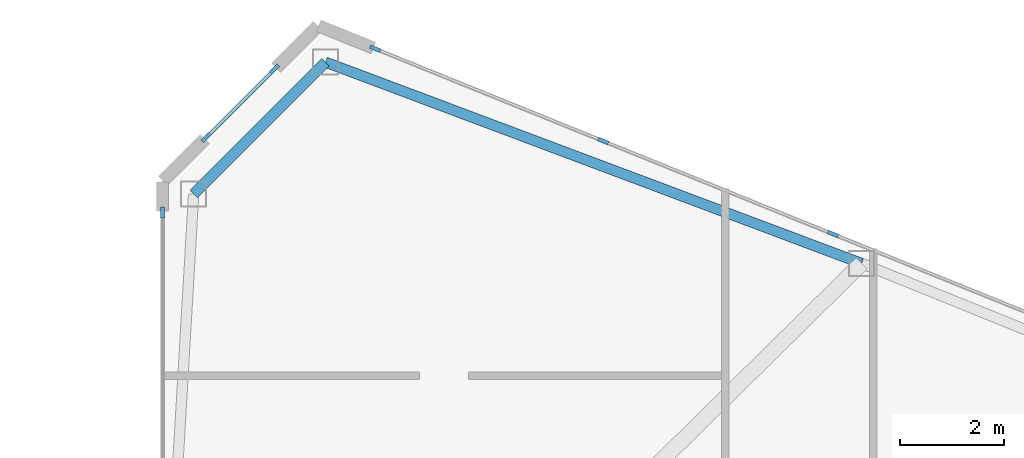
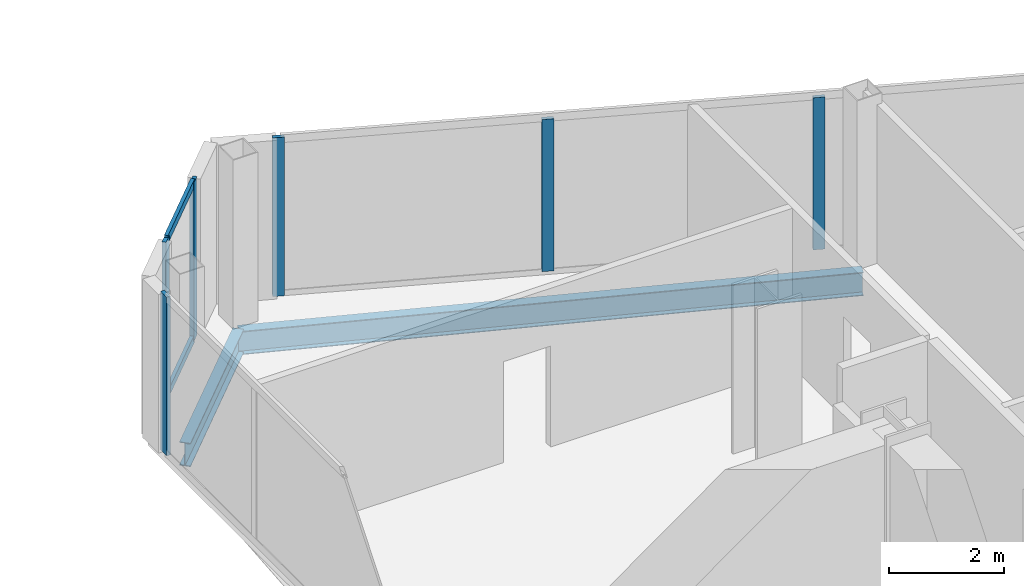
# One storey, part 13 of 25: 8 members, 2 beams, 3 elements without a shape of their own.
"""IFC4 building model written with IfcOpenShell, lengths in metres."""

from ifc_helpers import new_model, si_unit, direction, frame, origin, origin_2d, place, context, subcontext, project, spatial, rectangle, i_section, extrude, source, transform, mapped, material, layer, layer_set, material_profile, profile_set, type_object, type_shapes, element, aggregate, save


model = new_model("IFC4")

# Units and contexts
model_context = context("Model", 3, precision=1e-05, world=origin(), true_north=direction((0.0, 1.0)))
body_context = subcontext(model_context, "Body", "Model", "MODEL_VIEW")
ifc_project = project(units=[si_unit("LENGTHUNIT", "METRE"), si_unit("AREAUNIT", "SQUARE_METRE"), si_unit("VOLUMEUNIT", "CUBIC_METRE"), si_unit("PLANEANGLEUNIT", "RADIAN"), si_unit("MASSUNIT", "GRAM", prefix="KILO")], contexts=[model_context])

# Site, building, storey
site_placement = place(None, origin())
site = spatial("IfcSite", under=ifc_project, at=site_placement, CompositionType="ELEMENT")
building_placement = place(site_placement, origin())
building = spatial("IfcBuilding", under=site, at=building_placement, Name="Seokmaru Belvedere", CompositionType="ELEMENT")
storey_placement = place(building_placement, frame((0.0, 0.0, 33.300048828125)))
storey = spatial("IfcBuildingStorey", under=building, at=storey_placement, Name="L08", CompositionType="ELEMENT", Elevation=33.300048828125)

# Beams
ifc_material_1 = material(Name="Steel SM355 (355 MPa)", Category="steel")
ifc_material_profile_1 = material_profile(ifc_material_1, i_section(OverallWidth=0.199951171875, OverallDepth=0.5, WebThickness=0.010009765625, FlangeThickness=0.01611328125, at=origin_2d()), Name="H-500x200x10x16")
ifc_profile_set_1 = profile_set([ifc_material_profile_1], Name="Steel SM355 (355 MPa)")
beam_type = type_object("IfcBeamType", Name="Perimeter Spandrel Beam H-500", PredefinedType="SPANDREL", material=ifc_profile_set_1)
shared_shape_1 = source(origin(), body_context, "Body", "SweptSolid", [
    extrude(i_section(OverallWidth=0.199951171875, OverallDepth=0.5, WebThickness=0.010009765625, FlangeThickness=0.01611328125, at=origin_2d()), origin(), (0.0, 0.0, 1.0), 11.03857421875),
])
beam_1_placement = place(storey_placement, frame((30.643310546875, 26.294677734375, -0.469970703125), z_axis=(0.936169110734, -0.351549990907, 0.0), x_axis=(0.351549990907, 0.936169110734, 0.0)))
element("IfcBeam", 1, at=beam_1_placement, inside=storey, type_object=beam_type, Name="L08 E Faceted Flank Spandrel N-1", PredefinedType="SPANDREL", context=body_context, shape_type="MappedRepresentation", body=[
    mapped(shared_shape_1, transform((0.0, 0.0, 0.0), scale=1.0)),
])
shared_shape_2 = source(origin(), body_context, "Body", "SweptSolid", [
    extrude(i_section(OverallWidth=0.199951171875, OverallDepth=0.5, WebThickness=0.010009765625, FlangeThickness=0.01611328125, at=origin_2d()), origin(), (0.0, 0.0, 1.0), 3.5966796875),
])
type_shapes(beam_type, [shared_shape_1, shared_shape_2])
beam_2_placement = place(storey_placement, frame((30.643310546875, 26.294677734375, -0.469970703125), z_axis=(-0.707106781187, -0.707106781187, 0.0), x_axis=(0.707106781187, -0.707106781187, 0.0)))
element("IfcBeam", 2, at=beam_2_placement, inside=storey, type_object=beam_type, Name="L08 E Shoulder Chamfer Spandrel N", PredefinedType="SPANDREL", context=body_context, shape_type="MappedRepresentation", body=[
    mapped(shared_shape_2, transform((0.0, 0.0, 0.0), scale=1.0)),
])

# Curtain wall, members
ifc_material_2 = material(Name="Bronze Triple Insulating Glass", Category="glass")
ifc_layer = layer(ifc_material_2, 0.2099609375)
ifc_layer_set = layer_set([ifc_layer], Name="Bronze Triple Insulating Glass")
curtain_wall_type = type_object("IfcCurtainWallType", Name="Low-Rise Faceted Crystal Curtain Wall System CW-2", PredefinedType="NOTDEFINED", material=ifc_layer_set)
curtain_wall_1_placement = place(storey_placement, origin())
curtain_wall_1 = element("IfcCurtainWall", 3, at=curtain_wall_1_placement, inside=storey, type_object=curtain_wall_type, Name="L08 Curtain Wall EF4", PredefinedType="NOTDEFINED")
ifc_material_3 = material(Name="Anodised Bronze Aluminium", Category="aluminium")
ifc_material_profile_2 = material_profile(ifc_material_3, rectangle(XDim=0.070068359375, YDim=0.1650390625, at=origin_2d()), Name="CW-T-70x165")
ifc_profile_set_2 = profile_set([ifc_material_profile_2], Name="Anodised Bronze Aluminium")
member_type_1 = type_object("IfcMemberType", Name="Bronze Unitised Transom 70x165", PredefinedType="USERDEFINED", material=ifc_profile_set_2)
shared_shape_3 = source(origin(), body_context, "Body", "SweptSolid", [
    extrude(rectangle(XDim=0.070068359375, YDim=0.1650390625, at=origin_2d()), origin(), (0.0, 0.0, 1.0), 1.792724609375),
])
type_shapes(member_type_1, [shared_shape_3])
member_1_placement = place(storey_placement, frame((29.6337890625, 26.1337890625, 0.034912109375), z_axis=(-0.707106781187, -0.707106781187, 0.0), x_axis=(0.707106781187, -0.707106781187, 0.0)))
member_1 = element("IfcMember", 4, at=member_1_placement, type_object=member_type_1, Name="CW:L08:EF4 Continuous Transom 1", ObjectType="TRANSOM", PredefinedType="USERDEFINED", context=body_context, shape_type="MappedRepresentation", body=[
    mapped(shared_shape_3, transform((0.0, 0.0, 0.0), scale=1.0)),
])
member_2_placement = place(storey_placement, frame((29.6337890625, 26.1337890625, 3.344970703125), z_axis=(-0.707106781187, -0.707106781187, 0.0), x_axis=(0.707106781187, -0.707106781187, 0.0)))
member_2 = element("IfcMember", 5, at=member_2_placement, type_object=member_type_1, Name="CW:L08:EF4 Continuous Transom 2", ObjectType="TRANSOM", PredefinedType="USERDEFINED", context=body_context, shape_type="MappedRepresentation", body=[
    mapped(shared_shape_3, transform((0.0, 0.0, 0.0), scale=1.0)),
])

curtain_wall_2_placement = place(storey_placement, origin())
curtain_wall_2 = element("IfcCurtainWall", 6, at=curtain_wall_2_placement, inside=storey, type_object=curtain_wall_type, Name="L08 Curtain Wall EF3", PredefinedType="NOTDEFINED")
ifc_material_profile_3 = material_profile(ifc_material_3, rectangle(XDim=0.074951171875, YDim=0.2099609375, at=origin_2d()), Name="CW-M-75x210")
ifc_profile_set_3 = profile_set([ifc_material_profile_3], Name="Anodised Bronze Aluminium")
member_type_2 = type_object("IfcMemberType", Name="Bronze Unitised Mullion 75x210", PredefinedType="MULLION", material=ifc_profile_set_3)
shared_shape_4 = source(origin(), body_context, "Body", "SweptSolid", [
    extrude(rectangle(XDim=0.074951171875, YDim=0.2099609375, at=origin_2d()), origin(), (0.0, 0.0, 1.0), 3.239990234375),
])
member_3_placement = place(storey_placement, frame((40.425537109375, 22.982421875, 0.070068359375), z_axis=(0.0, 0.0, 1.0), x_axis=(-0.375192321888, -0.926946989637, 0.0)))
member_3 = element("IfcMember", 7, at=member_3_placement, type_object=member_type_2, Name="CW:L08:EF3 Mullion 8", PredefinedType="MULLION", context=body_context, shape_type="MappedRepresentation", body=[
    mapped(shared_shape_4, transform((0.0, 0.0, 0.0), scale=1.0)),
])
member_4_placement = place(storey_placement, frame((35.995849609375, 24.775390625, 0.070068359375), z_axis=(0.0, 0.0, 1.0), x_axis=(-0.375192321888, -0.926946989637, 0.0)))
member_4 = element("IfcMember", 8, at=member_4_placement, type_object=member_type_2, Name="CW:L08:EF3 Mullion 9", PredefinedType="MULLION", context=body_context, shape_type="MappedRepresentation", body=[
    mapped(shared_shape_4, transform((0.0, 0.0, 0.0), scale=1.0)),
])
shared_shape_5 = source(origin(), body_context, "Body", "SweptSolid", [
    extrude(rectangle(XDim=0.074951171875, YDim=0.2099609375, at=origin_2d()), origin(), (0.0, 0.0, 1.0), 3.3798828125),
])
type_shapes(member_type_2, [shared_shape_4, shared_shape_5])
member_5_placement = place(storey_placement, frame((31.600830078125, 26.554443359375, 0.0), z_axis=(0.0, 0.0, 1.0), x_axis=(-0.375192321888, -0.926946989637, 0.0)))
member_5 = element("IfcMember", 9, at=member_5_placement, type_object=member_type_2, Name="CW:L08:EF3 Mullion 10", PredefinedType="MULLION", context=body_context, shape_type="MappedRepresentation", body=[
    mapped(shared_shape_5, transform((0.0, 0.0, 0.0), scale=1.0)),
])
aggregate(curtain_wall_2, [member_3, member_4, member_5])

# Member
member_6_placement = place(storey_placement, frame((29.660400390625, 26.160400390625, 0.0), z_axis=(0.0, 0.0, 1.0), x_axis=(0.707106781187, -0.707106781187, 0.0)))
member_6 = element("IfcMember", 10, at=member_6_placement, type_object=member_type_2, Name="CW:L08:EF4 Mullion 1", PredefinedType="MULLION", context=body_context, shape_type="MappedRepresentation", body=[
    mapped(shared_shape_5, transform((0.0, 0.0, 0.0), scale=1.0)),
])

member_7_placement = place(storey_placement, frame((28.339599609375, 24.839599609375, 0.0), z_axis=(0.0, 0.0, 1.0), x_axis=(0.707106781187, -0.707106781187, 0.0)))
member_7 = element("IfcMember", 11, at=member_7_placement, type_object=member_type_2, Name="CW:L08:EF4 Mullion 2", PredefinedType="MULLION", context=body_context, shape_type="MappedRepresentation", body=[
    mapped(shared_shape_5, transform((0.0, 0.0, 0.0), scale=1.0)),
])

aggregate(curtain_wall_1, [member_6, member_7, member_1, member_2])

# Curtain wall, member
curtain_wall_3_placement = place(storey_placement, origin())
curtain_wall_3 = element("IfcCurtainWall", 12, at=curtain_wall_3_placement, inside=storey, type_object=curtain_wall_type, Name="L08 Curtain Wall ESP_2", PredefinedType="NOTDEFINED")
member_8_placement = place(storey_placement, frame((27.5, 23.392578125, 0.0), z_axis=(0.0, 0.0, 1.0), x_axis=(1.0, 0.0, 0.0)))
member_8 = element("IfcMember", 13, at=member_8_placement, type_object=member_type_2, Name="CW:L08:ESP_2 Mullion 1", PredefinedType="MULLION", context=body_context, shape_type="MappedRepresentation", body=[
    mapped(shared_shape_5, transform((0.0, 0.0, 0.0), scale=1.0)),
])
aggregate(curtain_wall_3, [member_8])

save(model, "model.ifc")
